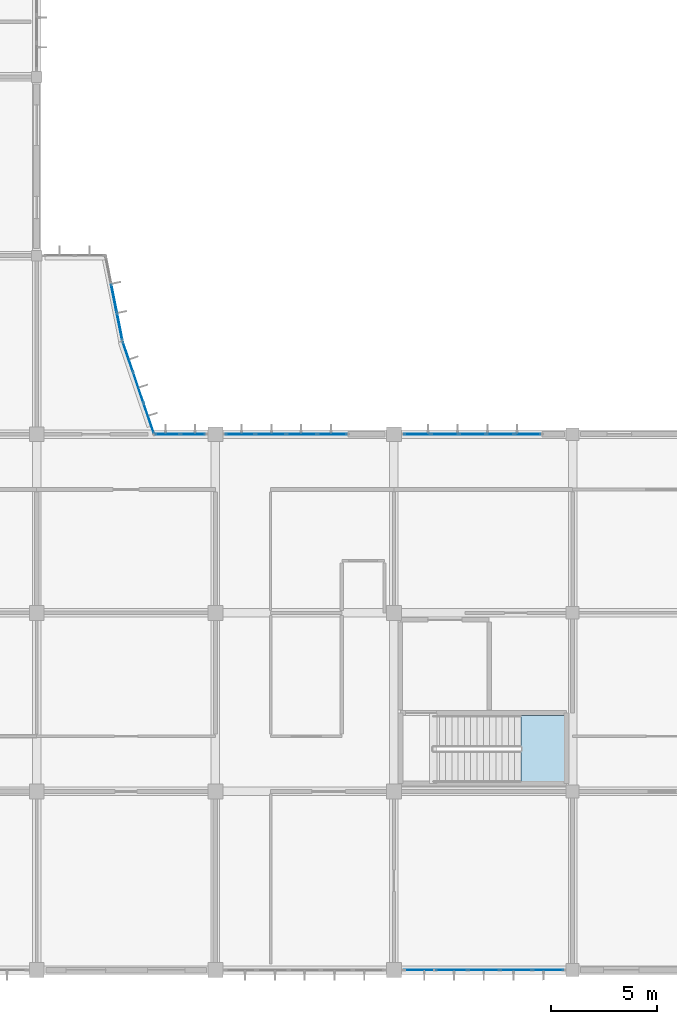
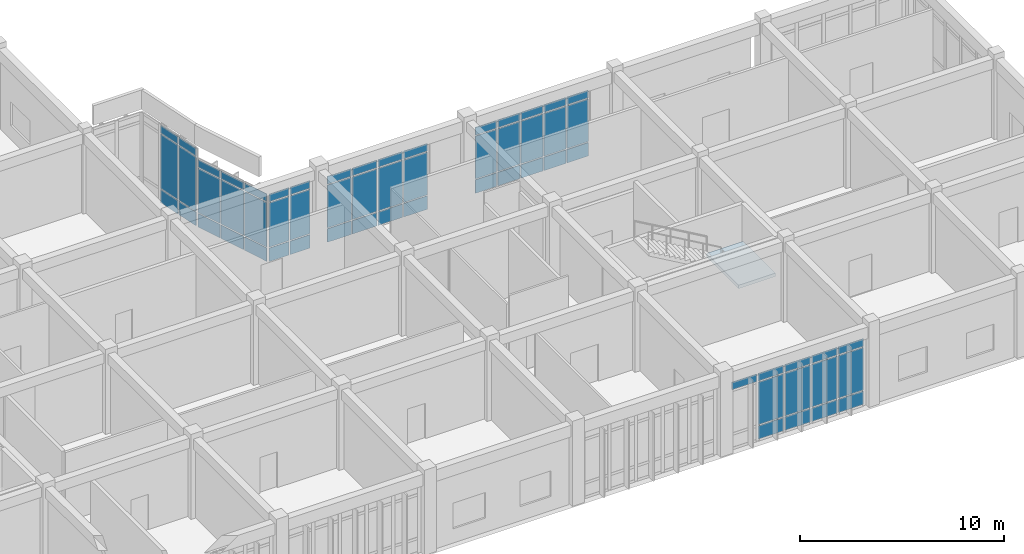
# One storey, part 80 of 134: 61 plates, 1 slab, 7 elements without a shape of their own.
"""IFC4 building model written with IfcOpenShell, lengths in metres."""

from ifc_helpers import new_model, si_unit, direction, frame, origin, origin_2d, place, context, subcontext, project, spatial, polyline, rectangle, outline, extrude, material, layer, layer_set, type_object, element, aggregate, save


model = new_model("IFC4")

# Units and contexts
model_context = context("Model", 3, precision=1e-05, world=origin(), true_north=direction((0.0, 1.0)))
body_context = subcontext(model_context, "Body", "Model", "MODEL_VIEW")
ifc_project = project(units=[si_unit("LENGTHUNIT", "METRE"), si_unit("AREAUNIT", "SQUARE_METRE"), si_unit("VOLUMEUNIT", "CUBIC_METRE"), si_unit("PLANEANGLEUNIT", "RADIAN"), si_unit("MASSUNIT", "GRAM", prefix="KILO")], contexts=[model_context])

# Site, building, storey
site_placement = place(None, origin())
site = spatial("IfcSite", under=ifc_project, at=site_placement, CompositionType="ELEMENT")
building_placement = place(site_placement, origin())
building = spatial("IfcBuilding", under=site, at=building_placement, Name="Bramfleet General Hospital", CompositionType="ELEMENT")
storey_placement = place(building_placement, frame((0.0, 0.0, 9.300048828125)))
storey = spatial("IfcBuildingStorey", under=building, at=storey_placement, Name="L02", CompositionType="ELEMENT", Elevation=9.300048828125)

# Curtain wall, plates
ifc_material_1 = material(Name="Anodised aluminium and low-E triple glazing", Category="aluminium")
ifc_layer_1 = layer(ifc_material_1, 0.179931640625, Name="CWT-CW-09")
ifc_layer_set_1 = layer_set([ifc_layer_1], Name="Anodised aluminium and low-E triple glazing")
curtain_wall_type_1 = type_object("IfcCurtainWallType", Name="CWT-CW-09", PredefinedType="USERDEFINED", material=ifc_layer_set_1)
curtain_wall_1_placement = place(storey_placement, origin())
curtain_wall_1 = element("IfcCurtainWall", 1, at=curtain_wall_1_placement, inside=storey, type_object=curtain_wall_type_1, Name="L02 Curtain Wall 117", ObjectType="Unitised curtain wall", PredefinedType="USERDEFINED")
ifc_material_2 = material(Name="Low-E laminated safety glass", Category="glass")
ifc_layer_2 = layer(ifc_material_2, 0.028076171875, Name="CWP-GLZ-1")
ifc_layer_set_2 = layer_set([ifc_layer_2], Name="Low-E laminated safety glass")
plate_type_1 = type_object("IfcPlateType", Name="CWP-GLZ-1", PredefinedType="CURTAIN_PANEL", material=ifc_layer_set_2)
plate_1_placement = place(storey_placement, frame((130.2890625, 28.830810546875, 0.06494140625), z_axis=(0.0, 0.0, 1.0), x_axis=(0.321285950829, -0.94698222676, 0.0)))
plate_1 = element("IfcPlate", 2, at=plate_1_placement, type_object=plate_type_1, Name="CW-09 panel 1.1", PredefinedType="CURTAIN_PANEL", context=body_context, shape_type="SweptSolid", body=[
    extrude(rectangle(XDim=1.435791015625, YDim=0.028076171875, at=origin_2d()), origin(), (0.0, 0.0, 1.0), 0.802490234375),
])
plate_2_placement = place(storey_placement, frame((130.2890625, 28.830810546875, 0.9326171875), z_axis=(0.0, 0.0, 1.0), x_axis=(0.321285950829, -0.94698222676, 0.0)))
plate_2 = element("IfcPlate", 3, at=plate_2_placement, type_object=plate_type_1, Name="CW-09 panel 1.2", PredefinedType="CURTAIN_PANEL", context=body_context, shape_type="SweptSolid", body=[
    extrude(rectangle(XDim=1.435791015625, YDim=0.028076171875, at=origin_2d()), origin(), (0.0, 0.0, 1.0), 2.655029296875),
])
plate_3_placement = place(storey_placement, frame((130.2890625, 28.830810546875, 3.65234375), z_axis=(0.0, 0.0, 1.0), x_axis=(0.321285950829, -0.94698222676, 0.0)))
plate_3 = element("IfcPlate", 4, at=plate_3_placement, type_object=plate_type_1, Name="CW-09 panel 1.3", PredefinedType="CURTAIN_PANEL", context=body_context, shape_type="SweptSolid", body=[
    extrude(rectangle(XDim=1.435791015625, YDim=0.028076171875, at=origin_2d()), origin(), (0.0, 0.0, 1.0), 0.452392578125),
])
plate_4_placement = place(storey_placement, frame((130.778564453125, 27.388427734375, 0.06494140625), z_axis=(0.0, 0.0, 1.0), x_axis=(0.321285950829, -0.94698222676, 0.0)))
plate_4 = element("IfcPlate", 5, at=plate_4_placement, type_object=plate_type_1, Name="CW-09 panel 2.1", PredefinedType="CURTAIN_PANEL", context=body_context, shape_type="SweptSolid", body=[
    extrude(rectangle(XDim=1.470703125, YDim=0.028076171875, at=origin_2d()), origin(), (0.0, 0.0, 1.0), 0.802490234375),
])
plate_5_placement = place(storey_placement, frame((130.778564453125, 27.388427734375, 0.9326171875), z_axis=(0.0, 0.0, 1.0), x_axis=(0.321285950829, -0.94698222676, 0.0)))
plate_5 = element("IfcPlate", 6, at=plate_5_placement, type_object=plate_type_1, Name="CW-09 panel 2.2", PredefinedType="CURTAIN_PANEL", context=body_context, shape_type="SweptSolid", body=[
    extrude(rectangle(XDim=1.470703125, YDim=0.028076171875, at=origin_2d()), origin(), (0.0, 0.0, 1.0), 2.655029296875),
])
plate_6_placement = place(storey_placement, frame((130.778564453125, 27.388427734375, 3.65234375), z_axis=(0.0, 0.0, 1.0), x_axis=(0.321285950829, -0.94698222676, 0.0)))
plate_6 = element("IfcPlate", 7, at=plate_6_placement, type_object=plate_type_1, Name="CW-09 panel 2.3", PredefinedType="CURTAIN_PANEL", context=body_context, shape_type="SweptSolid", body=[
    extrude(rectangle(XDim=1.470703125, YDim=0.028076171875, at=origin_2d()), origin(), (0.0, 0.0, 1.0), 0.452392578125),
])
plate_7_placement = place(storey_placement, frame((131.267822265625, 25.946044921875, 0.06494140625), z_axis=(0.0, 0.0, 1.0), x_axis=(0.321285950829, -0.94698222676, 0.0)))
plate_7 = element("IfcPlate", 8, at=plate_7_placement, type_object=plate_type_1, Name="CW-09 panel 3.1", PredefinedType="CURTAIN_PANEL", context=body_context, shape_type="SweptSolid", body=[
    extrude(rectangle(XDim=1.435791015625, YDim=0.028076171875, at=origin_2d()), origin(), (0.0, 0.0, 1.0), 0.802490234375),
])
plate_8_placement = place(storey_placement, frame((131.267822265625, 25.946044921875, 0.9326171875), z_axis=(0.0, 0.0, 1.0), x_axis=(0.321285950829, -0.94698222676, 0.0)))
plate_8 = element("IfcPlate", 9, at=plate_8_placement, type_object=plate_type_1, Name="CW-09 panel 3.2", PredefinedType="CURTAIN_PANEL", context=body_context, shape_type="SweptSolid", body=[
    extrude(rectangle(XDim=1.435791015625, YDim=0.028076171875, at=origin_2d()), origin(), (0.0, 0.0, 1.0), 2.655029296875),
])
plate_9_placement = place(storey_placement, frame((131.267822265625, 25.946044921875, 3.65234375), z_axis=(0.0, 0.0, 1.0), x_axis=(0.321285950829, -0.94698222676, 0.0)))
plate_9 = element("IfcPlate", 10, at=plate_9_placement, type_object=plate_type_1, Name="CW-09 panel 3.3", PredefinedType="CURTAIN_PANEL", context=body_context, shape_type="SweptSolid", body=[
    extrude(rectangle(XDim=1.435791015625, YDim=0.028076171875, at=origin_2d()), origin(), (0.0, 0.0, 1.0), 0.452392578125),
])
aggregate(curtain_wall_1, [plate_1, plate_2, plate_3, plate_4, plate_5, plate_6, plate_7, plate_8, plate_9])

ifc_layer_3 = layer(ifc_material_1, 0.179931640625, Name="CWT-CW-10")
ifc_layer_set_3 = layer_set([ifc_layer_3], Name="Anodised aluminium and low-E triple glazing")
curtain_wall_type_2 = type_object("IfcCurtainWallType", Name="CWT-CW-10", PredefinedType="USERDEFINED", material=ifc_layer_set_3)
curtain_wall_2_placement = place(storey_placement, origin())
curtain_wall_2 = element("IfcCurtainWall", 11, at=curtain_wall_2_placement, inside=storey, type_object=curtain_wall_type_2, Name="L02 Curtain Wall 118", ObjectType="Stick curtain wall", PredefinedType="USERDEFINED")
ifc_layer_4 = layer(ifc_material_2, 0.031982421875, Name="CWP-GLZ-2")
ifc_layer_set_4 = layer_set([ifc_layer_4], Name="Low-E laminated safety glass")
plate_type_2 = type_object("IfcPlateType", Name="CWP-GLZ-2", PredefinedType="CURTAIN_PANEL", material=ifc_layer_set_4)
plate_10_placement = place(storey_placement, frame((132.152099609375, 25.199951171875, 0.06494140625), z_axis=(0.0, 0.0, 1.0), x_axis=(1.0, 0.0, 0.0)))
plate_10 = element("IfcPlate", 12, at=plate_10_placement, type_object=plate_type_2, Name="CW-10 panel 1.1", PredefinedType="CURTAIN_PANEL", context=body_context, shape_type="SweptSolid", body=[
    extrude(rectangle(XDim=1.1220703125, YDim=0.031982421875, at=origin_2d()), origin(), (0.0, 0.0, 1.0), 0.802490234375),
])
plate_11_placement = place(storey_placement, frame((132.152099609375, 25.199951171875, 0.9326171875), z_axis=(0.0, 0.0, 1.0), x_axis=(1.0, 0.0, 0.0)))
plate_11 = element("IfcPlate", 13, at=plate_11_placement, type_object=plate_type_2, Name="CW-10 panel 1.2", PredefinedType="CURTAIN_PANEL", context=body_context, shape_type="SweptSolid", body=[
    extrude(rectangle(XDim=1.1220703125, YDim=0.031982421875, at=origin_2d()), origin(), (0.0, 0.0, 1.0), 2.655029296875),
])
plate_12_placement = place(storey_placement, frame((132.152099609375, 25.199951171875, 3.65234375), z_axis=(0.0, 0.0, 1.0), x_axis=(1.0, 0.0, 0.0)))
plate_12 = element("IfcPlate", 14, at=plate_12_placement, type_object=plate_type_2, Name="CW-10 panel 1.3", PredefinedType="CURTAIN_PANEL", context=body_context, shape_type="SweptSolid", body=[
    extrude(rectangle(XDim=1.1220703125, YDim=0.031982421875, at=origin_2d()), origin(), (0.0, 0.0, 1.0), 0.452392578125),
])
plate_13_placement = place(storey_placement, frame((133.343994140625, 25.199951171875, 0.06494140625), z_axis=(0.0, 0.0, 1.0), x_axis=(1.0, 0.0, 0.0)))
plate_13 = element("IfcPlate", 15, at=plate_13_placement, type_object=plate_type_2, Name="CW-10 panel 2.1", PredefinedType="CURTAIN_PANEL", context=body_context, shape_type="SweptSolid", body=[
    extrude(rectangle(XDim=1.1220703125, YDim=0.031982421875, at=origin_2d()), origin(), (0.0, 0.0, 1.0), 0.802490234375),
])
plate_14_placement = place(storey_placement, frame((133.343994140625, 25.199951171875, 0.9326171875), z_axis=(0.0, 0.0, 1.0), x_axis=(1.0, 0.0, 0.0)))
plate_14 = element("IfcPlate", 16, at=plate_14_placement, type_object=plate_type_2, Name="CW-10 panel 2.2", PredefinedType="CURTAIN_PANEL", context=body_context, shape_type="SweptSolid", body=[
    extrude(rectangle(XDim=1.1220703125, YDim=0.031982421875, at=origin_2d()), origin(), (0.0, 0.0, 1.0), 2.655029296875),
])
plate_15_placement = place(storey_placement, frame((133.343994140625, 25.199951171875, 3.65234375), z_axis=(0.0, 0.0, 1.0), x_axis=(1.0, 0.0, 0.0)))
plate_15 = element("IfcPlate", 17, at=plate_15_placement, type_object=plate_type_2, Name="CW-10 panel 2.3", PredefinedType="CURTAIN_PANEL", context=body_context, shape_type="SweptSolid", body=[
    extrude(rectangle(XDim=1.1220703125, YDim=0.031982421875, at=origin_2d()), origin(), (0.0, 0.0, 1.0), 0.452392578125),
])
aggregate(curtain_wall_2, [plate_10, plate_11, plate_12, plate_13, plate_14, plate_15])

ifc_layer_5 = layer(ifc_material_1, 0.179931640625, Name="CWT-CW-11")
ifc_layer_set_5 = layer_set([ifc_layer_5], Name="Anodised aluminium and low-E triple glazing")
curtain_wall_type_3 = type_object("IfcCurtainWallType", Name="CWT-CW-11", PredefinedType="USERDEFINED", material=ifc_layer_set_5)
curtain_wall_3_placement = place(storey_placement, origin())
curtain_wall_3 = element("IfcCurtainWall", 18, at=curtain_wall_3_placement, inside=storey, type_object=curtain_wall_type_3, Name="L02 Curtain Wall 119", ObjectType="Stick curtain wall", PredefinedType="USERDEFINED")
ifc_layer_6 = layer(ifc_material_2, 0.035888671875, Name="CWP-GLZ-3")
ifc_layer_set_6 = layer_set([ifc_layer_6], Name="Low-E laminated safety glass")
plate_type_3 = type_object("IfcPlateType", Name="CWP-GLZ-3", PredefinedType="CURTAIN_PANEL", material=ifc_layer_set_6)
plate_16_placement = place(storey_placement, frame((135.569580078125, 25.199951171875, 0.06494140625), z_axis=(0.0, 0.0, 1.0), x_axis=(1.0, 0.0, 0.0)))
plate_16 = element("IfcPlate", 19, at=plate_16_placement, type_object=plate_type_3, Name="CW-11 panel 1.1", PredefinedType="CURTAIN_PANEL", context=body_context, shape_type="SweptSolid", body=[
    extrude(rectangle(XDim=1.34912109375, YDim=0.035888671875, at=origin_2d()), origin(), (0.0, 0.0, 1.0), 0.802490234375),
])
plate_17_placement = place(storey_placement, frame((135.569580078125, 25.199951171875, 0.9326171875), z_axis=(0.0, 0.0, 1.0), x_axis=(1.0, 0.0, 0.0)))
plate_17 = element("IfcPlate", 20, at=plate_17_placement, type_object=plate_type_3, Name="CW-11 panel 1.2", PredefinedType="CURTAIN_PANEL", context=body_context, shape_type="SweptSolid", body=[
    extrude(rectangle(XDim=1.34912109375, YDim=0.035888671875, at=origin_2d()), origin(), (0.0, 0.0, 1.0), 2.554931640625),
])
plate_18_placement = place(storey_placement, frame((135.569580078125, 25.199951171875, 3.552734375), z_axis=(0.0, 0.0, 1.0), x_axis=(1.0, 0.0, 0.0)))
plate_18 = element("IfcPlate", 21, at=plate_18_placement, type_object=plate_type_3, Name="CW-11 panel 1.3", PredefinedType="CURTAIN_PANEL", context=body_context, shape_type="SweptSolid", body=[
    extrude(rectangle(XDim=1.34912109375, YDim=0.035888671875, at=origin_2d()), origin(), (0.0, 0.0, 1.0), 0.452392578125),
])
plate_19_placement = place(storey_placement, frame((137.006103515625, 25.199951171875, 0.06494140625), z_axis=(0.0, 0.0, 1.0), x_axis=(1.0, 0.0, 0.0)))
plate_19 = element("IfcPlate", 22, at=plate_19_placement, type_object=plate_type_3, Name="CW-11 panel 2.1", PredefinedType="CURTAIN_PANEL", context=body_context, shape_type="SweptSolid", body=[
    extrude(rectangle(XDim=1.384033203125, YDim=0.035888671875, at=origin_2d()), origin(), (0.0, 0.0, 1.0), 0.802490234375),
])
plate_20_placement = place(storey_placement, frame((137.006103515625, 25.199951171875, 0.9326171875), z_axis=(0.0, 0.0, 1.0), x_axis=(1.0, 0.0, 0.0)))
plate_20 = element("IfcPlate", 23, at=plate_20_placement, type_object=plate_type_3, Name="CW-11 panel 2.2", PredefinedType="CURTAIN_PANEL", context=body_context, shape_type="SweptSolid", body=[
    extrude(rectangle(XDim=1.384033203125, YDim=0.035888671875, at=origin_2d()), origin(), (0.0, 0.0, 1.0), 2.554931640625),
])
plate_21_placement = place(storey_placement, frame((137.006103515625, 25.199951171875, 3.552734375), z_axis=(0.0, 0.0, 1.0), x_axis=(1.0, 0.0, 0.0)))
plate_21 = element("IfcPlate", 24, at=plate_21_placement, type_object=plate_type_3, Name="CW-11 panel 2.3", PredefinedType="CURTAIN_PANEL", context=body_context, shape_type="SweptSolid", body=[
    extrude(rectangle(XDim=1.384033203125, YDim=0.035888671875, at=origin_2d()), origin(), (0.0, 0.0, 1.0), 0.452392578125),
])
plate_22_placement = place(storey_placement, frame((138.4599609375, 25.199951171875, 0.06494140625), z_axis=(0.0, 0.0, 1.0), x_axis=(1.0, 0.0, 0.0)))
plate_22 = element("IfcPlate", 25, at=plate_22_placement, type_object=plate_type_3, Name="CW-11 panel 3.1", PredefinedType="CURTAIN_PANEL", context=body_context, shape_type="SweptSolid", body=[
    extrude(rectangle(XDim=1.384033203125, YDim=0.035888671875, at=origin_2d()), origin(), (0.0, 0.0, 1.0), 0.802490234375),
])
plate_23_placement = place(storey_placement, frame((138.4599609375, 25.199951171875, 0.9326171875), z_axis=(0.0, 0.0, 1.0), x_axis=(1.0, 0.0, 0.0)))
plate_23 = element("IfcPlate", 26, at=plate_23_placement, type_object=plate_type_3, Name="CW-11 panel 3.2", PredefinedType="CURTAIN_PANEL", context=body_context, shape_type="SweptSolid", body=[
    extrude(rectangle(XDim=1.384033203125, YDim=0.035888671875, at=origin_2d()), origin(), (0.0, 0.0, 1.0), 2.554931640625),
])
plate_24_placement = place(storey_placement, frame((138.4599609375, 25.199951171875, 3.552734375), z_axis=(0.0, 0.0, 1.0), x_axis=(1.0, 0.0, 0.0)))
plate_24 = element("IfcPlate", 27, at=plate_24_placement, type_object=plate_type_3, Name="CW-11 panel 3.3", PredefinedType="CURTAIN_PANEL", context=body_context, shape_type="SweptSolid", body=[
    extrude(rectangle(XDim=1.384033203125, YDim=0.035888671875, at=origin_2d()), origin(), (0.0, 0.0, 1.0), 0.452392578125),
])
plate_25_placement = place(storey_placement, frame((139.896484375, 25.199951171875, 0.06494140625), z_axis=(0.0, 0.0, 1.0), x_axis=(1.0, 0.0, 0.0)))
plate_25 = element("IfcPlate", 28, at=plate_25_placement, type_object=plate_type_3, Name="CW-11 panel 4.1", PredefinedType="CURTAIN_PANEL", context=body_context, shape_type="SweptSolid", body=[
    extrude(rectangle(XDim=1.34912109375, YDim=0.035888671875, at=origin_2d()), origin(), (0.0, 0.0, 1.0), 0.802490234375),
])
plate_26_placement = place(storey_placement, frame((139.896484375, 25.199951171875, 0.9326171875), z_axis=(0.0, 0.0, 1.0), x_axis=(1.0, 0.0, 0.0)))
plate_26 = element("IfcPlate", 29, at=plate_26_placement, type_object=plate_type_3, Name="CW-11 panel 4.2", PredefinedType="CURTAIN_PANEL", context=body_context, shape_type="SweptSolid", body=[
    extrude(rectangle(XDim=1.34912109375, YDim=0.035888671875, at=origin_2d()), origin(), (0.0, 0.0, 1.0), 2.554931640625),
])
plate_27_placement = place(storey_placement, frame((139.896484375, 25.199951171875, 3.552734375), z_axis=(0.0, 0.0, 1.0), x_axis=(1.0, 0.0, 0.0)))
plate_27 = element("IfcPlate", 30, at=plate_27_placement, type_object=plate_type_3, Name="CW-11 panel 4.3", PredefinedType="CURTAIN_PANEL", context=body_context, shape_type="SweptSolid", body=[
    extrude(rectangle(XDim=1.34912109375, YDim=0.035888671875, at=origin_2d()), origin(), (0.0, 0.0, 1.0), 0.452392578125),
])
aggregate(curtain_wall_3, [plate_16, plate_17, plate_18, plate_19, plate_20, plate_21, plate_22, plate_23, plate_24, plate_25, plate_26, plate_27])

ifc_layer_7 = layer(ifc_material_1, 0.179931640625, Name="CWT-CW-15")
ifc_layer_set_7 = layer_set([ifc_layer_7], Name="Anodised aluminium and low-E triple glazing")
curtain_wall_type_4 = type_object("IfcCurtainWallType", Name="CWT-CW-15", PredefinedType="USERDEFINED", material=ifc_layer_set_7)
curtain_wall_4_placement = place(storey_placement, origin())
curtain_wall_4 = element("IfcCurtainWall", 31, at=curtain_wall_4_placement, inside=storey, type_object=curtain_wall_type_4, Name="L02 Curtain Wall 123", ObjectType="Stick curtain wall", PredefinedType="USERDEFINED")
plate_28_placement = place(storey_placement, frame((150.047607421875, 0.0, 0.06494140625), z_axis=(0.0, 0.0, 1.0), x_axis=(-1.0, 0.0, 0.0)))
plate_28 = element("IfcPlate", 32, at=plate_28_placement, type_object=plate_type_3, Name="CW-15 panel 1.1", PredefinedType="CURTAIN_PANEL", context=body_context, shape_type="SweptSolid", body=[
    extrude(rectangle(XDim=1.4150390625, YDim=0.035888671875, at=origin_2d()), origin(), (0.0, 0.0, 1.0), 0.802490234375),
])
plate_29_placement = place(storey_placement, frame((150.047607421875, 0.0, 0.9326171875), z_axis=(0.0, 0.0, 1.0), x_axis=(-1.0, 0.0, 0.0)))
plate_29 = element("IfcPlate", 33, at=plate_29_placement, type_object=plate_type_3, Name="CW-15 panel 1.2", PredefinedType="CURTAIN_PANEL", context=body_context, shape_type="SweptSolid", body=[
    extrude(rectangle(XDim=1.4150390625, YDim=0.035888671875, at=origin_2d()), origin(), (0.0, 0.0, 1.0), 2.554931640625),
])
plate_30_placement = place(storey_placement, frame((150.047607421875, 0.0, 3.552734375), z_axis=(0.0, 0.0, 1.0), x_axis=(-1.0, 0.0, 0.0)))
plate_30 = element("IfcPlate", 34, at=plate_30_placement, type_object=plate_type_3, Name="CW-15 panel 1.3", PredefinedType="CURTAIN_PANEL", context=body_context, shape_type="SweptSolid", body=[
    extrude(rectangle(XDim=1.4150390625, YDim=0.035888671875, at=origin_2d()), origin(), (0.0, 0.0, 1.0), 0.452392578125),
])
plate_31_placement = place(storey_placement, frame((148.544921875, 0.0, 0.06494140625), z_axis=(0.0, 0.0, 1.0), x_axis=(-1.0, 0.0, 0.0)))
plate_31 = element("IfcPlate", 35, at=plate_31_placement, type_object=plate_type_3, Name="CW-15 panel 2.1", PredefinedType="CURTAIN_PANEL", context=body_context, shape_type="SweptSolid", body=[
    extrude(rectangle(XDim=1.449951171875, YDim=0.035888671875, at=origin_2d()), origin(), (0.0, 0.0, 1.0), 0.802490234375),
])
plate_32_placement = place(storey_placement, frame((148.544921875, 0.0, 0.9326171875), z_axis=(0.0, 0.0, 1.0), x_axis=(-1.0, 0.0, 0.0)))
plate_32 = element("IfcPlate", 36, at=plate_32_placement, type_object=plate_type_3, Name="CW-15 panel 2.2", PredefinedType="CURTAIN_PANEL", context=body_context, shape_type="SweptSolid", body=[
    extrude(rectangle(XDim=1.449951171875, YDim=0.035888671875, at=origin_2d()), origin(), (0.0, 0.0, 1.0), 2.554931640625),
])
plate_33_placement = place(storey_placement, frame((148.544921875, 0.0, 3.552734375), z_axis=(0.0, 0.0, 1.0), x_axis=(-1.0, 0.0, 0.0)))
plate_33 = element("IfcPlate", 37, at=plate_33_placement, type_object=plate_type_3, Name="CW-15 panel 2.3", PredefinedType="CURTAIN_PANEL", context=body_context, shape_type="SweptSolid", body=[
    extrude(rectangle(XDim=1.449951171875, YDim=0.035888671875, at=origin_2d()), origin(), (0.0, 0.0, 1.0), 0.452392578125),
])
plate_34_placement = place(storey_placement, frame((147.02490234375, 0.0, 0.06494140625), z_axis=(0.0, 0.0, 1.0), x_axis=(-1.0, 0.0, 0.0)))
plate_34 = element("IfcPlate", 38, at=plate_34_placement, type_object=plate_type_3, Name="CW-15 panel 3.1", PredefinedType="CURTAIN_PANEL", context=body_context, shape_type="SweptSolid", body=[
    extrude(rectangle(XDim=1.449951171875, YDim=0.035888671875, at=origin_2d()), origin(), (0.0, 0.0, 1.0), 0.802490234375),
])
plate_35_placement = place(storey_placement, frame((147.02490234375, 0.0, 0.9326171875), z_axis=(0.0, 0.0, 1.0), x_axis=(-1.0, 0.0, 0.0)))
plate_35 = element("IfcPlate", 39, at=plate_35_placement, type_object=plate_type_3, Name="CW-15 panel 3.2", PredefinedType="CURTAIN_PANEL", context=body_context, shape_type="SweptSolid", body=[
    extrude(rectangle(XDim=1.449951171875, YDim=0.035888671875, at=origin_2d()), origin(), (0.0, 0.0, 1.0), 2.554931640625),
])
plate_36_placement = place(storey_placement, frame((147.02490234375, 0.0, 3.552734375), z_axis=(0.0, 0.0, 1.0), x_axis=(-1.0, 0.0, 0.0)))
plate_36 = element("IfcPlate", 40, at=plate_36_placement, type_object=plate_type_3, Name="CW-15 panel 3.3", PredefinedType="CURTAIN_PANEL", context=body_context, shape_type="SweptSolid", body=[
    extrude(rectangle(XDim=1.449951171875, YDim=0.035888671875, at=origin_2d()), origin(), (0.0, 0.0, 1.0), 0.452392578125),
])
plate_37_placement = place(storey_placement, frame((145.5048828125, 0.0, 0.06494140625), z_axis=(0.0, 0.0, 1.0), x_axis=(-1.0, 0.0, 0.0)))
plate_37 = element("IfcPlate", 41, at=plate_37_placement, type_object=plate_type_3, Name="CW-15 panel 4.1", PredefinedType="CURTAIN_PANEL", context=body_context, shape_type="SweptSolid", body=[
    extrude(rectangle(XDim=1.449951171875, YDim=0.035888671875, at=origin_2d()), origin(), (0.0, 0.0, 1.0), 0.802490234375),
])
plate_38_placement = place(storey_placement, frame((145.5048828125, 0.0, 0.9326171875), z_axis=(0.0, 0.0, 1.0), x_axis=(-1.0, 0.0, 0.0)))
plate_38 = element("IfcPlate", 42, at=plate_38_placement, type_object=plate_type_3, Name="CW-15 panel 4.2", PredefinedType="CURTAIN_PANEL", context=body_context, shape_type="SweptSolid", body=[
    extrude(rectangle(XDim=1.449951171875, YDim=0.035888671875, at=origin_2d()), origin(), (0.0, 0.0, 1.0), 2.554931640625),
])
plate_39_placement = place(storey_placement, frame((145.5048828125, 0.0, 3.552734375), z_axis=(0.0, 0.0, 1.0), x_axis=(-1.0, 0.0, 0.0)))
plate_39 = element("IfcPlate", 43, at=plate_39_placement, type_object=plate_type_3, Name="CW-15 panel 4.3", PredefinedType="CURTAIN_PANEL", context=body_context, shape_type="SweptSolid", body=[
    extrude(rectangle(XDim=1.449951171875, YDim=0.035888671875, at=origin_2d()), origin(), (0.0, 0.0, 1.0), 0.452392578125),
])
plate_40_placement = place(storey_placement, frame((144.00244140625, 0.0, 3.552734375), z_axis=(0.0, 0.0, 1.0), x_axis=(-1.0, 0.0, 0.0)))
plate_40 = element("IfcPlate", 44, at=plate_40_placement, type_object=plate_type_3, Name="CW-15 panel 5.3", PredefinedType="CURTAIN_PANEL", context=body_context, shape_type="SweptSolid", body=[
    extrude(rectangle(XDim=1.4150390625, YDim=0.035888671875, at=origin_2d()), origin(), (0.0, 0.0, 1.0), 0.452392578125),
])
aggregate(curtain_wall_4, [plate_28, plate_29, plate_30, plate_31, plate_32, plate_33, plate_34, plate_35, plate_36, plate_37, plate_38, plate_39, plate_40])

ifc_layer_8 = layer(ifc_material_1, 0.179931640625, Name="CWT-CW-08")
ifc_layer_set_8 = layer_set([ifc_layer_8], Name="Anodised aluminium and low-E triple glazing")
curtain_wall_type_5 = type_object("IfcCurtainWallType", Name="CWT-CW-08", PredefinedType="USERDEFINED", material=ifc_layer_set_8)
curtain_wall_5_placement = place(storey_placement, origin())
curtain_wall_5 = element("IfcCurtainWall", 45, at=curtain_wall_5_placement, inside=storey, type_object=curtain_wall_type_5, Name="L02 Curtain Wall 116", ObjectType="Unitised curtain wall", PredefinedType="USERDEFINED")
ifc_layer_9 = layer(ifc_material_2, 0.0419921875, Name="CWP-GLZ-4")
ifc_layer_set_9 = layer_set([ifc_layer_9], Name="Low-E laminated safety glass")
plate_type_4 = type_object("IfcPlateType", Name="CWP-GLZ-4", PredefinedType="CURTAIN_PANEL", material=ifc_layer_set_9)
plate_41_placement = place(storey_placement, frame((129.635498046875, 31.58837890625, 0.06494140625), z_axis=(0.0, 0.0, 1.0), x_axis=(0.195272189606, -0.980749087161, 0.0)))
plate_41 = element("IfcPlate", 46, at=plate_41_placement, type_object=plate_type_4, Name="CW-08 panel 2.1", PredefinedType="CURTAIN_PANEL", context=body_context, shape_type="SweptSolid", body=[
    extrude(rectangle(XDim=1.29736328125, YDim=0.0419921875, at=origin_2d()), origin(), (0.0, 0.0, 1.0), 0.802490234375),
])
plate_42_placement = place(storey_placement, frame((129.635498046875, 31.58837890625, 0.9326171875), z_axis=(0.0, 0.0, 1.0), x_axis=(0.195272189606, -0.980749087161, 0.0)))
plate_42 = element("IfcPlate", 47, at=plate_42_placement, type_object=plate_type_4, Name="CW-08 panel 2.2", PredefinedType="CURTAIN_PANEL", context=body_context, shape_type="SweptSolid", body=[
    extrude(rectangle(XDim=1.29736328125, YDim=0.0419921875, at=origin_2d()), origin(), (0.0, 0.0, 1.0), 3.2548828125),
])
plate_43_placement = place(storey_placement, frame((129.635498046875, 31.58837890625, 4.25244140625), z_axis=(0.0, 0.0, 1.0), x_axis=(0.195272189606, -0.980749087161, 0.0)))
plate_43 = element("IfcPlate", 48, at=plate_43_placement, type_object=plate_type_4, Name="CW-08 panel 2.3", PredefinedType="CURTAIN_PANEL", context=body_context, shape_type="SweptSolid", body=[
    extrude(rectangle(XDim=1.29736328125, YDim=0.0419921875, at=origin_2d()), origin(), (0.0, 0.0, 1.0), 0.452392578125),
])
plate_44_placement = place(storey_placement, frame((129.899169921875, 30.2646484375, 0.06494140625), z_axis=(0.0, 0.0, 1.0), x_axis=(0.195272189606, -0.980749087161, 0.0)))
plate_44 = element("IfcPlate", 49, at=plate_44_placement, type_object=plate_type_4, Name="CW-08 panel 3.1", PredefinedType="CURTAIN_PANEL", context=body_context, shape_type="SweptSolid", body=[
    extrude(rectangle(XDim=1.26220703125, YDim=0.0419921875, at=origin_2d()), origin(), (0.0, 0.0, 1.0), 0.802490234375),
])
plate_45_placement = place(storey_placement, frame((129.899169921875, 30.2646484375, 0.9326171875), z_axis=(0.0, 0.0, 1.0), x_axis=(0.195272189606, -0.980749087161, 0.0)))
plate_45 = element("IfcPlate", 50, at=plate_45_placement, type_object=plate_type_4, Name="CW-08 panel 3.2", PredefinedType="CURTAIN_PANEL", context=body_context, shape_type="SweptSolid", body=[
    extrude(rectangle(XDim=1.26220703125, YDim=0.0419921875, at=origin_2d()), origin(), (0.0, 0.0, 1.0), 3.2548828125),
])
plate_46_placement = place(storey_placement, frame((129.899169921875, 30.2646484375, 4.25244140625), z_axis=(0.0, 0.0, 1.0), x_axis=(0.195272189606, -0.980749087161, 0.0)))
plate_46 = element("IfcPlate", 51, at=plate_46_placement, type_object=plate_type_4, Name="CW-08 panel 3.3", PredefinedType="CURTAIN_PANEL", context=body_context, shape_type="SweptSolid", body=[
    extrude(rectangle(XDim=1.26220703125, YDim=0.0419921875, at=origin_2d()), origin(), (0.0, 0.0, 1.0), 0.452392578125),
])
aggregate(curtain_wall_5, [plate_41, plate_42, plate_43, plate_44, plate_45, plate_46])

ifc_layer_10 = layer(ifc_material_1, 0.179931640625, Name="CWT-CW-12")
ifc_layer_set_10 = layer_set([ifc_layer_10], Name="Anodised aluminium and low-E triple glazing")
curtain_wall_type_6 = type_object("IfcCurtainWallType", Name="CWT-CW-12", PredefinedType="USERDEFINED", material=ifc_layer_set_10)
curtain_wall_6_placement = place(storey_placement, origin())
curtain_wall_6 = element("IfcCurtainWall", 52, at=curtain_wall_6_placement, inside=storey, type_object=curtain_wall_type_6, Name="L02 Curtain Wall 120", ObjectType="Stick curtain wall", PredefinedType="USERDEFINED")
plate_47_placement = place(storey_placement, frame((143.89599609375, 25.199951171875, 0.06494140625), z_axis=(0.0, 0.0, 1.0), x_axis=(1.0, 0.0, 0.0)))
plate_47 = element("IfcPlate", 53, at=plate_47_placement, type_object=plate_type_4, Name="CW-12 panel 1.1", PredefinedType="CURTAIN_PANEL", context=body_context, shape_type="SweptSolid", body=[
    extrude(rectangle(XDim=1.2021484375, YDim=0.0419921875, at=origin_2d()), origin(), (0.0, 0.0, 1.0), 0.802490234375),
])
plate_48_placement = place(storey_placement, frame((143.89599609375, 25.199951171875, 0.9326171875), z_axis=(0.0, 0.0, 1.0), x_axis=(1.0, 0.0, 0.0)))
plate_48 = element("IfcPlate", 54, at=plate_48_placement, type_object=plate_type_4, Name="CW-12 panel 1.2", PredefinedType="CURTAIN_PANEL", context=body_context, shape_type="SweptSolid", body=[
    extrude(rectangle(XDim=1.2021484375, YDim=0.0419921875, at=origin_2d()), origin(), (0.0, 0.0, 1.0), 2.554931640625),
])
plate_49_placement = place(storey_placement, frame((143.89599609375, 25.199951171875, 3.552734375), z_axis=(0.0, 0.0, 1.0), x_axis=(1.0, 0.0, 0.0)))
plate_49 = element("IfcPlate", 55, at=plate_49_placement, type_object=plate_type_4, Name="CW-12 panel 1.3", PredefinedType="CURTAIN_PANEL", context=body_context, shape_type="SweptSolid", body=[
    extrude(rectangle(XDim=1.2021484375, YDim=0.0419921875, at=origin_2d()), origin(), (0.0, 0.0, 1.0), 0.452392578125),
])
plate_50_placement = place(storey_placement, frame((145.185791015625, 25.199951171875, 0.06494140625), z_axis=(0.0, 0.0, 1.0), x_axis=(1.0, 0.0, 0.0)))
plate_50 = element("IfcPlate", 56, at=plate_50_placement, type_object=plate_type_4, Name="CW-12 panel 2.1", PredefinedType="CURTAIN_PANEL", context=body_context, shape_type="SweptSolid", body=[
    extrude(rectangle(XDim=1.2373046875, YDim=0.0419921875, at=origin_2d()), origin(), (0.0, 0.0, 1.0), 0.802490234375),
])
plate_51_placement = place(storey_placement, frame((145.185791015625, 25.199951171875, 0.9326171875), z_axis=(0.0, 0.0, 1.0), x_axis=(1.0, 0.0, 0.0)))
plate_51 = element("IfcPlate", 57, at=plate_51_placement, type_object=plate_type_4, Name="CW-12 panel 2.2", PredefinedType="CURTAIN_PANEL", context=body_context, shape_type="SweptSolid", body=[
    extrude(rectangle(XDim=1.2373046875, YDim=0.0419921875, at=origin_2d()), origin(), (0.0, 0.0, 1.0), 2.554931640625),
])
plate_52_placement = place(storey_placement, frame((145.185791015625, 25.199951171875, 3.552734375), z_axis=(0.0, 0.0, 1.0), x_axis=(1.0, 0.0, 0.0)))
plate_52 = element("IfcPlate", 58, at=plate_52_placement, type_object=plate_type_4, Name="CW-12 panel 2.3", PredefinedType="CURTAIN_PANEL", context=body_context, shape_type="SweptSolid", body=[
    extrude(rectangle(XDim=1.2373046875, YDim=0.0419921875, at=origin_2d()), origin(), (0.0, 0.0, 1.0), 0.452392578125),
])
plate_53_placement = place(storey_placement, frame((146.492919921875, 25.199951171875, 0.06494140625), z_axis=(0.0, 0.0, 1.0), x_axis=(1.0, 0.0, 0.0)))
plate_53 = element("IfcPlate", 59, at=plate_53_placement, type_object=plate_type_4, Name="CW-12 panel 3.1", PredefinedType="CURTAIN_PANEL", context=body_context, shape_type="SweptSolid", body=[
    extrude(rectangle(XDim=1.2373046875, YDim=0.0419921875, at=origin_2d()), origin(), (0.0, 0.0, 1.0), 0.802490234375),
])
plate_54_placement = place(storey_placement, frame((146.492919921875, 25.199951171875, 0.9326171875), z_axis=(0.0, 0.0, 1.0), x_axis=(1.0, 0.0, 0.0)))
plate_54 = element("IfcPlate", 60, at=plate_54_placement, type_object=plate_type_4, Name="CW-12 panel 3.2", PredefinedType="CURTAIN_PANEL", context=body_context, shape_type="SweptSolid", body=[
    extrude(rectangle(XDim=1.2373046875, YDim=0.0419921875, at=origin_2d()), origin(), (0.0, 0.0, 1.0), 2.554931640625),
])
plate_55_placement = place(storey_placement, frame((146.492919921875, 25.199951171875, 3.552734375), z_axis=(0.0, 0.0, 1.0), x_axis=(1.0, 0.0, 0.0)))
plate_55 = element("IfcPlate", 61, at=plate_55_placement, type_object=plate_type_4, Name="CW-12 panel 3.3", PredefinedType="CURTAIN_PANEL", context=body_context, shape_type="SweptSolid", body=[
    extrude(rectangle(XDim=1.2373046875, YDim=0.0419921875, at=origin_2d()), origin(), (0.0, 0.0, 1.0), 0.452392578125),
])
plate_56_placement = place(storey_placement, frame((147.80029296875, 25.199951171875, 0.06494140625), z_axis=(0.0, 0.0, 1.0), x_axis=(1.0, 0.0, 0.0)))
plate_56 = element("IfcPlate", 62, at=plate_56_placement, type_object=plate_type_4, Name="CW-12 panel 4.1", PredefinedType="CURTAIN_PANEL", context=body_context, shape_type="SweptSolid", body=[
    extrude(rectangle(XDim=1.2373046875, YDim=0.0419921875, at=origin_2d()), origin(), (0.0, 0.0, 1.0), 0.802490234375),
])
plate_57_placement = place(storey_placement, frame((147.80029296875, 25.199951171875, 0.9326171875), z_axis=(0.0, 0.0, 1.0), x_axis=(1.0, 0.0, 0.0)))
plate_57 = element("IfcPlate", 63, at=plate_57_placement, type_object=plate_type_4, Name="CW-12 panel 4.2", PredefinedType="CURTAIN_PANEL", context=body_context, shape_type="SweptSolid", body=[
    extrude(rectangle(XDim=1.2373046875, YDim=0.0419921875, at=origin_2d()), origin(), (0.0, 0.0, 1.0), 2.554931640625),
])
plate_58_placement = place(storey_placement, frame((147.80029296875, 25.199951171875, 3.552734375), z_axis=(0.0, 0.0, 1.0), x_axis=(1.0, 0.0, 0.0)))
plate_58 = element("IfcPlate", 64, at=plate_58_placement, type_object=plate_type_4, Name="CW-12 panel 4.3", PredefinedType="CURTAIN_PANEL", context=body_context, shape_type="SweptSolid", body=[
    extrude(rectangle(XDim=1.2373046875, YDim=0.0419921875, at=origin_2d()), origin(), (0.0, 0.0, 1.0), 0.452392578125),
])
plate_59_placement = place(storey_placement, frame((149.08984375, 25.199951171875, 0.06494140625), z_axis=(0.0, 0.0, 1.0), x_axis=(1.0, 0.0, 0.0)))
plate_59 = element("IfcPlate", 65, at=plate_59_placement, type_object=plate_type_4, Name="CW-12 panel 5.1", PredefinedType="CURTAIN_PANEL", context=body_context, shape_type="SweptSolid", body=[
    extrude(rectangle(XDim=1.2021484375, YDim=0.0419921875, at=origin_2d()), origin(), (0.0, 0.0, 1.0), 0.802490234375),
])
plate_60_placement = place(storey_placement, frame((149.08984375, 25.199951171875, 0.9326171875), z_axis=(0.0, 0.0, 1.0), x_axis=(1.0, 0.0, 0.0)))
plate_60 = element("IfcPlate", 66, at=plate_60_placement, type_object=plate_type_4, Name="CW-12 panel 5.2", PredefinedType="CURTAIN_PANEL", context=body_context, shape_type="SweptSolid", body=[
    extrude(rectangle(XDim=1.2021484375, YDim=0.0419921875, at=origin_2d()), origin(), (0.0, 0.0, 1.0), 2.554931640625),
])
plate_61_placement = place(storey_placement, frame((149.08984375, 25.199951171875, 3.552734375), z_axis=(0.0, 0.0, 1.0), x_axis=(1.0, 0.0, 0.0)))
plate_61 = element("IfcPlate", 67, at=plate_61_placement, type_object=plate_type_4, Name="CW-12 panel 5.3", PredefinedType="CURTAIN_PANEL", context=body_context, shape_type="SweptSolid", body=[
    extrude(rectangle(XDim=1.2021484375, YDim=0.0419921875, at=origin_2d()), origin(), (0.0, 0.0, 1.0), 0.452392578125),
])
aggregate(curtain_wall_6, [plate_47, plate_48, plate_49, plate_50, plate_51, plate_52, plate_53, plate_54, plate_55, plate_56, plate_57, plate_58, plate_59, plate_60, plate_61])

# Stair, slab
ifc_material_3 = material(Name="Concrete C35/45", Category="concrete")
stair_type = type_object("IfcStairType", Name="STR-T1", PredefinedType="HALF_TURN_STAIR", material=ifc_material_3)
stair_placement = place(storey_placement, origin())
stair = element("IfcStair", 68, at=stair_placement, inside=storey, type_object=stair_type, Name="L02 Core C10 (South-East Clinic & Ward Escape) Protected Escape Stair", PredefinedType="HALF_TURN_STAIR")
ifc_layer_11 = layer(ifc_material_3, 0.199951171875, Name="SL-LND-200")
ifc_layer_set_11 = layer_set([ifc_layer_11], Name="Concrete C35/45")
slab_type = type_object("IfcSlabType", Name="SL-LND-200", PredefinedType="LANDING", material=ifc_layer_set_11)
slab_placement = place(storey_placement, frame((0.0, 0.0, 2.349853515625)))
slab = element("IfcSlab", 69, at=slab_placement, type_object=slab_type, Name="ST-C10 landing 1", PredefinedType="LANDING", context=body_context, shape_type="SweptSolid", body=[
    extrude(outline(polyline([(148.77001953125, 8.820068359375), (150.860107421875, 8.820068359375), (150.860107421875, 11.97998046875), (148.77001953125, 11.97998046875), (148.77001953125, 8.820068359375)])), origin(), (0.0, 0.0, 1.0), 0.2001953125),
])
aggregate(stair, [slab])

save(model, "model.ifc")
